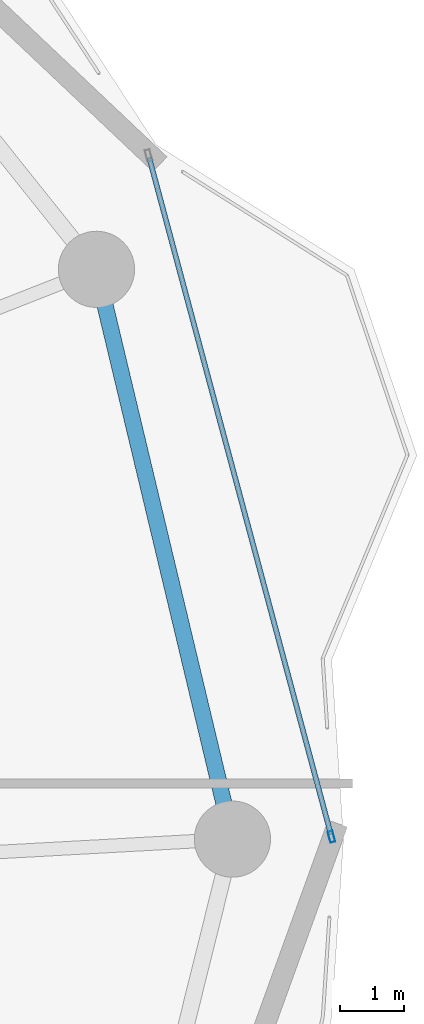
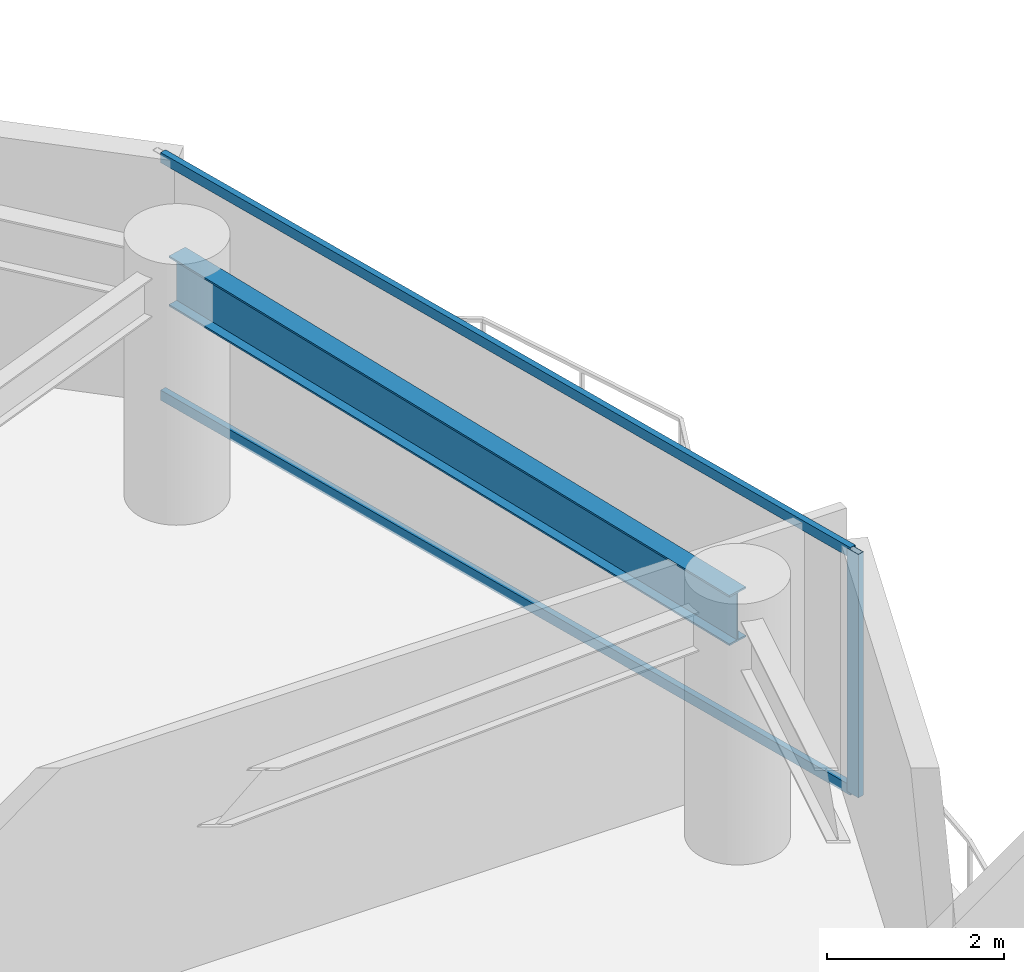
# One storey, part 15 of 28: 3 members, 1 beam, 1 element without a shape of its own.
"""IFC4 building model written with IfcOpenShell, lengths in metres."""

from ifc_helpers import new_model, si_unit, direction, frame, origin, origin_2d, place, context, subcontext, project, spatial, hollow_rectangle, i_section, extrude, material, layer, layer_set, material_profile, profile_set, type_object, element, aggregate, save


model = new_model("IFC4")

# Units and contexts
model_context = context("Model", 3, precision=1e-05, world=origin(), true_north=direction((0.0, 1.0)))
body_context = subcontext(model_context, "Body", "Model", "MODEL_VIEW")
ifc_project = project(units=[si_unit("LENGTHUNIT", "METRE"), si_unit("AREAUNIT", "SQUARE_METRE"), si_unit("VOLUMEUNIT", "CUBIC_METRE"), si_unit("PLANEANGLEUNIT", "RADIAN"), si_unit("MASSUNIT", "GRAM", prefix="KILO")], contexts=[model_context])

# Site, building, storey
site_placement = place(None, origin())
site = spatial("IfcSite", under=ifc_project, at=site_placement, CompositionType="ELEMENT")
building_placement = place(site_placement, origin())
building = spatial("IfcBuilding", under=site, at=building_placement, Name="Kazevale Care Tower and Concert Hall", CompositionType="ELEMENT")
storey_placement = place(building_placement, frame((0.0, 0.0, 102.60009765625)))
storey = spatial("IfcBuildingStorey", under=building, at=storey_placement, Name="L26", CompositionType="ELEMENT", Elevation=102.60009765625)

# Curtain wall, members
ifc_material_1 = material(Name="Aluminium 6063-T6 and Low-E Glass", Category="aluminium")
ifc_layer = layer(ifc_material_1, 0.179931640625)
ifc_layer_set = layer_set([ifc_layer], Name="Aluminium 6063-T6 and Low-E Glass")
curtain_wall_type = type_object("IfcCurtainWallType", Name="Waist & Upper Residential Curtain Wall CW-4", PredefinedType="NOTDEFINED", material=ifc_layer_set)
curtain_wall_placement = place(storey_placement, origin())
curtain_wall = element("IfcCurtainWall", 1, at=curtain_wall_placement, inside=storey, type_object=curtain_wall_type, Name="cw:L26:f18", PredefinedType="NOTDEFINED")
ifc_material_2 = material(Name="Aluminium 6063-T6", Category="aluminium")
ifc_material_profile_1 = material_profile(ifc_material_2, hollow_rectangle(XDim=0.080078125, YDim=0.179931640625, WallThickness=0.0048828125, at=origin_2d()), Name="ALU80x180x5")
ifc_profile_set_1 = profile_set([ifc_material_profile_1], Name="Aluminium 6063-T6")
member_type_1 = type_object("IfcMemberType", Name="CW-4 Mullion ALU80x180x5", PredefinedType="MULLION", material=ifc_profile_set_1)
member_1_placement = place(storey_placement, frame((74.609619140625, 38.03857421875, 0.0), z_axis=(0.0, 0.0, 1.0), x_axis=(0.965806263229, 0.259264848961, 0.0)))
member_1 = element("IfcMember", 2, at=member_1_placement, type_object=member_type_1, Name="CW-4 mullion 2", PredefinedType="MULLION", context=body_context, shape_type="SweptSolid", body=[
    extrude(hollow_rectangle(XDim=0.080078125, YDim=0.179931640625, WallThickness=0.0048828125, at=origin_2d()), origin(), (0.0, 0.0, 1.0), 3.35986328125),
])
ifc_material_profile_2 = material_profile(ifc_material_2, hollow_rectangle(XDim=0.080078125, YDim=0.139892578125, WallThickness=0.00390625, at=origin_2d()), Name="ALU80x140x4")
ifc_profile_set_2 = profile_set([ifc_material_profile_2], Name="Aluminium 6063-T6")
member_type_2 = type_object("IfcMemberType", Name="CW-4 Transom ALU80x140x4", PredefinedType="USERDEFINED", material=ifc_profile_set_2)
member_2_placement = place(storey_placement, frame((71.74072265625, 48.725830078125, 0.039794921875), z_axis=(0.259270636335, -0.965804709625, 0.0), x_axis=(0.965804709625, 0.259270636335, 0.0)))
member_2 = element("IfcMember", 3, at=member_2_placement, type_object=member_type_2, Name="CW-4 transom 1.1", ObjectType="TRANSOM", PredefinedType="USERDEFINED", context=body_context, shape_type="SweptSolid", body=[
    extrude(hollow_rectangle(XDim=0.080078125, YDim=0.139892578125, WallThickness=0.00390625, at=origin_2d()), origin(), (0.0, 0.0, 1.0), 11.025634765625),
])
member_3_placement = place(storey_placement, frame((71.74072265625, 48.725830078125, 3.31982421875), z_axis=(0.259270636335, -0.965804709625, 0.0), x_axis=(0.965804709625, 0.259270636335, 0.0)))
member_3 = element("IfcMember", 4, at=member_3_placement, type_object=member_type_2, Name="CW-4 transom 1.2", ObjectType="TRANSOM", PredefinedType="USERDEFINED", context=body_context, shape_type="SweptSolid", body=[
    extrude(hollow_rectangle(XDim=0.080078125, YDim=0.139892578125, WallThickness=0.00390625, at=origin_2d()), origin(), (0.0, 0.0, 1.0), 11.025634765625),
])
aggregate(curtain_wall, [member_1, member_2, member_3])

# Beam
ifc_material_3 = material(Name="Steel ASTM A572 Gr 50", Category="steel")
ifc_material_profile_3 = material_profile(ifc_material_3, i_section(OverallWidth=0.256103515625, OverallDepth=0.693115234375, WebThickness=0.014404296875, FlangeThickness=0.023681640625, at=origin_2d()), Name="W690x170")
ifc_profile_set_3 = profile_set([ifc_material_profile_3], Name="Steel ASTM A572 Gr 50")
beam_type = type_object("IfcBeamType", Name="Waist Ring Beam W690x170", PredefinedType="BEAM", material=ifc_profile_set_3)
beam_placement = place(storey_placement, frame((73.050048828125, 38.0, 3.013427734375), z_axis=(-0.232075055882, 0.972697881378, 0.0), x_axis=(-0.972697881378, -0.232075055882, 0.0)))
element("IfcBeam", 5, at=beam_placement, inside=storey, type_object=beam_type, Name="beam:L26:ring:01", PredefinedType="BEAM", context=body_context, shape_type="SweptSolid", body=[
    extrude(i_section(OverallWidth=0.256103515625, OverallDepth=0.693115234375, WebThickness=0.014404296875, FlangeThickness=0.023681640625, at=origin_2d()), origin(), (0.0, 0.0, 1.0), 9.2216796875),
])

save(model, "model.ifc")
